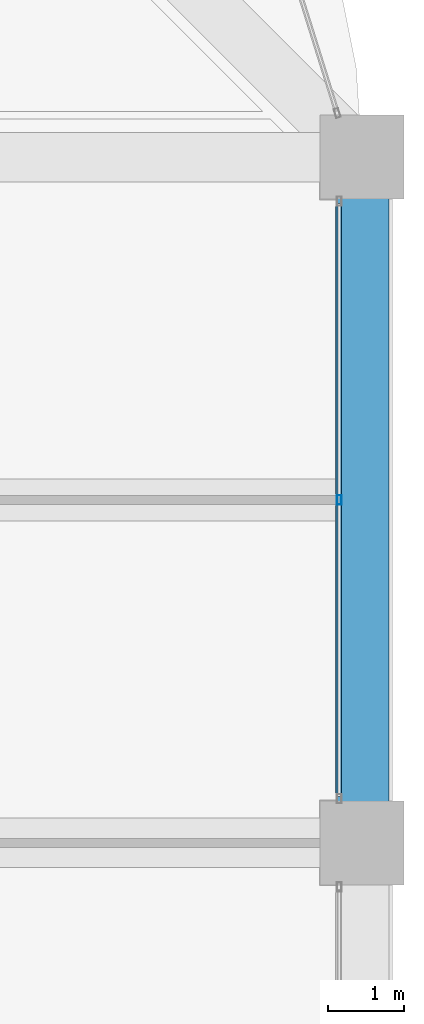
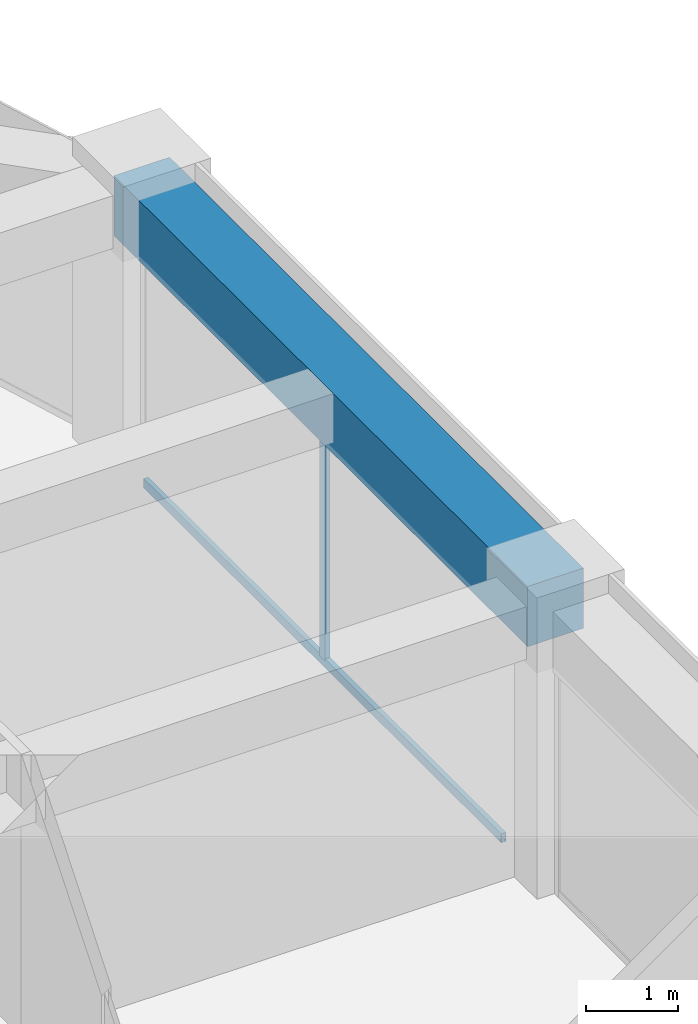
# One storey, part 27 of 44: 2 members, 1 beam, 1 element without a shape of its own.
"""IFC4 building model written with IfcOpenShell, lengths in metres."""

from ifc_helpers import new_model, si_unit, direction, frame, origin, origin_2d, place, context, subcontext, project, spatial, rectangle, hollow_rectangle, extrude, material, material_profile, profile_set, type_object, element, aggregate, save


model = new_model("IFC4")

# Units and contexts
model_context = context("Model", 3, precision=1e-05, world=origin(), true_north=direction((0.0, 1.0)))
body_context = subcontext(model_context, "Body", "Model", "MODEL_VIEW")
ifc_project = project(units=[si_unit("LENGTHUNIT", "METRE"), si_unit("AREAUNIT", "SQUARE_METRE"), si_unit("VOLUMEUNIT", "CUBIC_METRE"), si_unit("PLANEANGLEUNIT", "RADIAN"), si_unit("MASSUNIT", "GRAM", prefix="KILO")], contexts=[model_context])

# Site, building, storey
site_placement = place(None, origin())
site = spatial("IfcSite", under=ifc_project, at=site_placement, CompositionType="ELEMENT")
building_placement = place(site_placement, origin())
building = spatial("IfcBuilding", under=site, at=building_placement, Name="Zorevar Civic Tower", CompositionType="ELEMENT")
storey_placement = place(building_placement, frame((0.0, 0.0, 287.39990234375)))
storey = spatial("IfcBuildingStorey", under=building, at=storey_placement, Name="L70", CompositionType="ELEMENT", Elevation=287.39990234375)

# Curtain wall, members
ifc_material_1 = material(Name="Dark grey solar-control glass in black aluminium frame", Category="aluminium")
curtain_wall_type = type_object("IfcCurtainWallType", Name="Curtain wall CW5 top zone", PredefinedType="NOTDEFINED", material=ifc_material_1)
curtain_wall_placement = place(storey_placement, origin())
curtain_wall = element("IfcCurtainWall", 1, at=curtain_wall_placement, inside=storey, type_object=curtain_wall_type, Name="CW5 L70", PredefinedType="NOTDEFINED")
ifc_material_2 = material(Name="Aluminium, black anodised", Category="aluminium")
ifc_material_profile_1 = material_profile(ifc_material_2, hollow_rectangle(XDim=0.06005859375, YDim=0.1201171875, WallThickness=0.0029296875, at=origin_2d()), Name="AL 120x60x3")
ifc_profile_set_1 = profile_set([ifc_material_profile_1], Name="Aluminium, black anodised")
member_type_1 = type_object("IfcMemberType", Name="CW5 mullion AL 120x60x3", PredefinedType="MULLION", material=ifc_profile_set_1)
member_1_placement = place(storey_placement, frame((53.699951171875, 31.5, 0.06005859375), z_axis=(0.0, 0.0, 1.0), x_axis=(-1.0, 0.0, 0.0)))
member_1 = element("IfcMember", 2, at=member_1_placement, type_object=member_type_1, Name="CW5 mullion 2", PredefinedType="MULLION", context=body_context, shape_type="SweptSolid", body=[
    extrude(hollow_rectangle(XDim=0.06005859375, YDim=0.1201171875, WallThickness=0.0029296875, at=origin_2d()), origin(), (0.0, 0.0, 1.0), 2.89013671875),
])
ifc_material_3 = material(Name="Aluminium, black anodised", Category="aluminium")
ifc_material_profile_2 = material_profile(ifc_material_3, hollow_rectangle(XDim=0.06005859375, YDim=0.1201171875, WallThickness=0.0029296875, at=origin_2d()), Name="AL 120x60x3")
ifc_profile_set_2 = profile_set([ifc_material_profile_2], Name="Aluminium, black anodised")
member_type_2 = type_object("IfcMemberType", Name="CW5 transom AL 120x60x3", PredefinedType="USERDEFINED", material=ifc_profile_set_2)
member_2_placement = place(storey_placement, frame((53.699951171875, 27.610107421875, 0.030029296875), z_axis=(0.0, 1.0, 0.0), x_axis=(-1.0, 0.0, 0.0)))
member_2 = element("IfcMember", 3, at=member_2_placement, type_object=member_type_2, Name="CW5 sill transom", ObjectType="TRANSOM", PredefinedType="USERDEFINED", context=body_context, shape_type="SweptSolid", body=[
    extrude(hollow_rectangle(XDim=0.06005859375, YDim=0.1201171875, WallThickness=0.0029296875, at=origin_2d()), origin(), (0.0, 0.0, 1.0), 7.77978515625),
])
aggregate(curtain_wall, [member_1, member_2])

# Beam
ifc_material_4 = material(Name="Concrete C50/60", Category="concrete")
ifc_material_profile_3 = material_profile(ifc_material_4, rectangle(XDim=0.699951171875, YDim=0.800048828125, at=origin_2d()), Name="RC 700x800")
ifc_profile_set_3 = profile_set([ifc_material_profile_3], Name="Concrete C50/60")
beam_type = type_object("IfcBeamType", Name="Edge beam RC 700x800", PredefinedType="SPANDREL", material=ifc_profile_set_3)
beam_placement = place(storey_placement, frame((54.0, 27.0, 3.35009765625), z_axis=(0.0, 1.0, 0.0), x_axis=(-1.0, 0.0, 0.0)))
element("IfcBeam", 4, at=beam_placement, inside=storey, type_object=beam_type, Name="Edge beam L71", PredefinedType="SPANDREL", context=body_context, shape_type="SweptSolid", body=[
    extrude(rectangle(XDim=0.699951171875, YDim=0.800048828125, at=origin_2d()), origin(), (0.0, 0.0, 1.0), 9.0),
])

save(model, "model.ifc")
